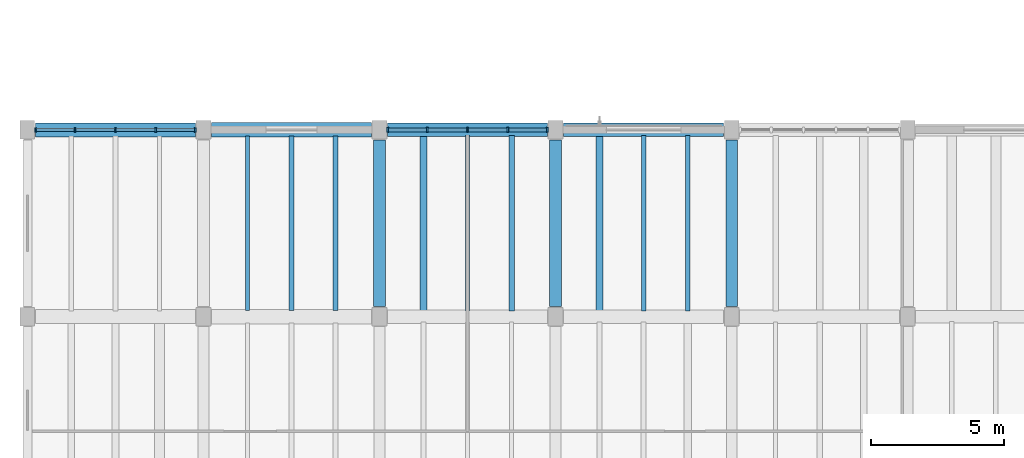
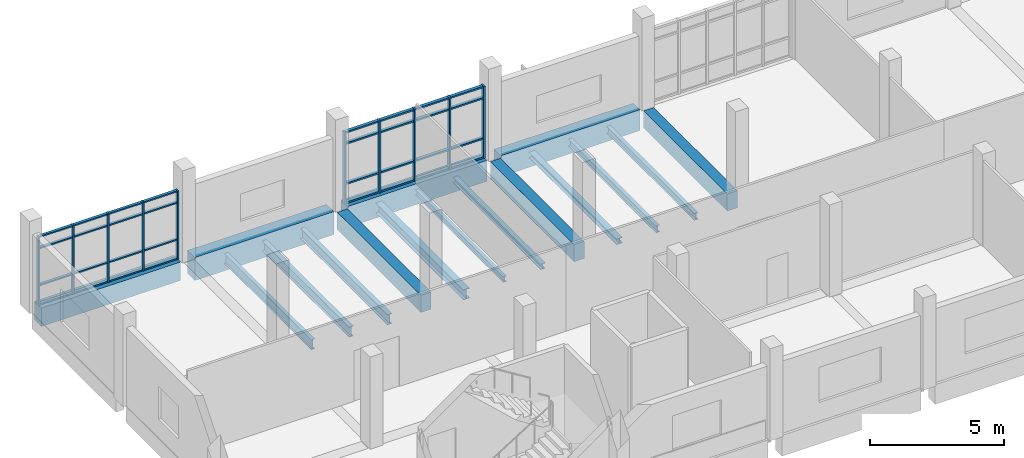
# One storey, part 4 of 68: 42 members, 16 beams, 2 elements without a shape of their own.
"""IFC4 building model written with IfcOpenShell, lengths in metres."""

from ifc_helpers import new_model, si_unit, direction, frame, origin, origin_2d, place, context, subcontext, project, spatial, rectangle, i_section, extrude, material, material_profile, profile_set, type_object, element, aggregate, save


model = new_model("IFC4")

# Units and contexts
model_context = context("Model", 3, precision=1e-05, world=origin(), true_north=direction((0.0, 1.0)))
body_context = subcontext(model_context, "Body", "Model", "MODEL_VIEW")
ifc_project = project(units=[si_unit("LENGTHUNIT", "METRE"), si_unit("AREAUNIT", "SQUARE_METRE"), si_unit("VOLUMEUNIT", "CUBIC_METRE"), si_unit("PLANEANGLEUNIT", "RADIAN"), si_unit("MASSUNIT", "GRAM", prefix="KILO")], contexts=[model_context])

# Site, building, storey
site_placement = place(None, origin())
site = spatial("IfcSite", under=ifc_project, at=site_placement, CompositionType="ELEMENT")
building_placement = place(site_placement, origin())
building = spatial("IfcBuilding", under=site, at=building_placement, Name="Ciguamira Faculty of Natural Sciences", CompositionType="ELEMENT")
storey_placement = place(building_placement, frame((0.0, 0.0, 4.199951171875)))
storey = spatial("IfcBuildingStorey", under=building, at=storey_placement, Name="L01", CompositionType="ELEMENT", Elevation=4.199951171875)

# Curtain wall, members
ifc_material_1 = material(Name="Anodized aluminium curtain wall", Category="aluminium")
curtain_wall_type_1 = type_object("IfcCurtainWallType", Name="CurtainWall_CW-04", PredefinedType="USERDEFINED", material=ifc_material_1)
curtain_wall_1_placement = place(storey_placement, origin())
curtain_wall_1 = element("IfcCurtainWall", 1, at=curtain_wall_1_placement, inside=storey, type_object=curtain_wall_type_1, Name="L01 unitised curtain wall 0028", ObjectType="UNITISED CURTAIN WALL", PredefinedType="USERDEFINED")
ifc_material_2 = material(Name="Anodized aluminium mullion", Category="aluminium")
ifc_material_profile_1 = material_profile(ifc_material_2, rectangle(XDim=0.06005859375, YDim=0.159912109375, at=origin_2d()), Name="ALU-MUL-60X160")
ifc_profile_set_1 = profile_set([ifc_material_profile_1], Name="Anodized aluminium mullion")
member_type_1 = type_object("IfcMemberType", Name="CWMullion_CWM-01", PredefinedType="MULLION", material=ifc_profile_set_1)
member_1_placement = place(storey_placement, frame((4.804931640625, 24.0, 0.0), z_axis=(0.0, 0.0, 1.0), x_axis=(1.0, 0.0, 0.0)))
member_1 = element("IfcMember", 2, at=member_1_placement, type_object=member_type_1, Name="CW-04 mullion 1", PredefinedType="MULLION", context=body_context, shape_type="SweptSolid", body=[
    extrude(rectangle(XDim=0.06005859375, YDim=0.159912109375, at=origin_2d()), origin(), (0.0, 0.0, 1.0), 3.135009765625),
])
member_2_placement = place(storey_placement, frame((6.28759765625, 24.0, 0.0), z_axis=(0.0, 0.0, 1.0), x_axis=(1.0, 0.0, 0.0)))
member_2 = element("IfcMember", 3, at=member_2_placement, type_object=member_type_1, Name="CW-04 mullion 2", PredefinedType="MULLION", context=body_context, shape_type="SweptSolid", body=[
    extrude(rectangle(XDim=0.06005859375, YDim=0.159912109375, at=origin_2d()), origin(), (0.0, 0.0, 1.0), 3.135009765625),
])
member_3_placement = place(storey_placement, frame((7.800048828125, 24.0, 0.0), z_axis=(0.0, 0.0, 1.0), x_axis=(1.0, 0.0, 0.0)))
member_3 = element("IfcMember", 4, at=member_3_placement, type_object=member_type_1, Name="CW-04 mullion 3", PredefinedType="MULLION", context=body_context, shape_type="SweptSolid", body=[
    extrude(rectangle(XDim=0.06005859375, YDim=0.159912109375, at=origin_2d()), origin(), (0.0, 0.0, 1.0), 3.135009765625),
])
member_4_placement = place(storey_placement, frame((9.3125, 24.0, 0.0), z_axis=(0.0, 0.0, 1.0), x_axis=(1.0, 0.0, 0.0)))
member_4 = element("IfcMember", 5, at=member_4_placement, type_object=member_type_1, Name="CW-04 mullion 4", PredefinedType="MULLION", context=body_context, shape_type="SweptSolid", body=[
    extrude(rectangle(XDim=0.06005859375, YDim=0.159912109375, at=origin_2d()), origin(), (0.0, 0.0, 1.0), 3.135009765625),
])
member_5_placement = place(storey_placement, frame((10.794921875, 24.0, 0.0), z_axis=(0.0, 0.0, 1.0), x_axis=(1.0, 0.0, 0.0)))
member_5 = element("IfcMember", 6, at=member_5_placement, type_object=member_type_1, Name="CW-04 mullion 5", PredefinedType="MULLION", context=body_context, shape_type="SweptSolid", body=[
    extrude(rectangle(XDim=0.06005859375, YDim=0.159912109375, at=origin_2d()), origin(), (0.0, 0.0, 1.0), 3.135009765625),
])

curtain_wall_type_2 = type_object("IfcCurtainWallType", Name="CurtainWall_CW-05", PredefinedType="USERDEFINED", material=ifc_material_1)
curtain_wall_2_placement = place(storey_placement, origin())
curtain_wall_2 = element("IfcCurtainWall", 7, at=curtain_wall_2_placement, inside=storey, type_object=curtain_wall_type_2, Name="L01 unitised curtain wall 0029", ObjectType="UNITISED CURTAIN WALL", PredefinedType="USERDEFINED")
ifc_material_profile_2 = material_profile(ifc_material_2, rectangle(XDim=0.070068359375, YDim=0.179931640625, at=origin_2d()), Name="ALU-MUL-70X180")
ifc_profile_set_2 = profile_set([ifc_material_profile_2], Name="Anodized aluminium mullion")
member_type_2 = type_object("IfcMemberType", Name="CWMullion_CWM-02", PredefinedType="MULLION", material=ifc_profile_set_2)
member_6_placement = place(storey_placement, frame((18.010009765625, 24.0, 0.0), z_axis=(0.0, 0.0, 1.0), x_axis=(1.0, 0.0, 0.0)))
member_6 = element("IfcMember", 8, at=member_6_placement, type_object=member_type_2, Name="CW-05 mullion 1", PredefinedType="MULLION", context=body_context, shape_type="SweptSolid", body=[
    extrude(rectangle(XDim=0.070068359375, YDim=0.179931640625, at=origin_2d()), origin(), (0.0, 0.0, 1.0), 3.28515625),
])
member_7_placement = place(storey_placement, frame((19.487548828125, 24.0, 0.0), z_axis=(0.0, 0.0, 1.0), x_axis=(1.0, 0.0, 0.0)))
member_7 = element("IfcMember", 9, at=member_7_placement, type_object=member_type_2, Name="CW-05 mullion 2", PredefinedType="MULLION", context=body_context, shape_type="SweptSolid", body=[
    extrude(rectangle(XDim=0.070068359375, YDim=0.179931640625, at=origin_2d()), origin(), (0.0, 0.0, 1.0), 3.28515625),
])
member_8_placement = place(storey_placement, frame((21.0, 24.0, 0.0), z_axis=(0.0, 0.0, 1.0), x_axis=(1.0, 0.0, 0.0)))
member_8 = element("IfcMember", 10, at=member_8_placement, type_object=member_type_2, Name="CW-05 mullion 3", PredefinedType="MULLION", context=body_context, shape_type="SweptSolid", body=[
    extrude(rectangle(XDim=0.070068359375, YDim=0.179931640625, at=origin_2d()), origin(), (0.0, 0.0, 1.0), 3.28515625),
])
member_9_placement = place(storey_placement, frame((22.512451171875, 24.0, 0.0), z_axis=(0.0, 0.0, 1.0), x_axis=(1.0, 0.0, 0.0)))
member_9 = element("IfcMember", 11, at=member_9_placement, type_object=member_type_2, Name="CW-05 mullion 4", PredefinedType="MULLION", context=body_context, shape_type="SweptSolid", body=[
    extrude(rectangle(XDim=0.070068359375, YDim=0.179931640625, at=origin_2d()), origin(), (0.0, 0.0, 1.0), 3.28515625),
])
member_10_placement = place(storey_placement, frame((23.989990234375, 24.0, 0.0), z_axis=(0.0, 0.0, 1.0), x_axis=(1.0, 0.0, 0.0)))
member_10 = element("IfcMember", 12, at=member_10_placement, type_object=member_type_2, Name="CW-05 mullion 5", PredefinedType="MULLION", context=body_context, shape_type="SweptSolid", body=[
    extrude(rectangle(XDim=0.070068359375, YDim=0.179931640625, at=origin_2d()), origin(), (0.0, 0.0, 1.0), 3.28515625),
])

# Member
ifc_material_3 = material(Name="Anodized aluminium transom", Category="aluminium")
ifc_material_profile_3 = material_profile(ifc_material_3, rectangle(XDim=0.06005859375, YDim=0.1201171875, at=origin_2d()), Name="ALU-TRN-60X120")
ifc_profile_set_3 = profile_set([ifc_material_profile_3], Name="Anodized aluminium transom")
member_type_3 = type_object("IfcMemberType", Name="CWTransom_CWT-01", PredefinedType="USERDEFINED", material=ifc_profile_set_3)
member_11_placement = place(storey_placement, frame((4.8349609375, 24.0, 0.030029296875), z_axis=(1.0, 0.0, 0.0), x_axis=(0.0, 0.0, 1.0)))
member_11 = element("IfcMember", 13, at=member_11_placement, type_object=member_type_3, Name="CW-04 transom 1.1", ObjectType="TRANSOM", PredefinedType="USERDEFINED", context=body_context, shape_type="SweptSolid", body=[
    extrude(rectangle(XDim=0.06005859375, YDim=0.1201171875, at=origin_2d()), origin(), (0.0, 0.0, 1.0), 1.422607421875),
])

member_12_placement = place(storey_placement, frame((4.8349609375, 24.0, 0.900146484375), z_axis=(1.0, 0.0, 0.0), x_axis=(0.0, 0.0, 1.0)))
member_12 = element("IfcMember", 14, at=member_12_placement, type_object=member_type_3, Name="CW-04 transom 1.2", ObjectType="TRANSOM", PredefinedType="USERDEFINED", context=body_context, shape_type="SweptSolid", body=[
    extrude(rectangle(XDim=0.06005859375, YDim=0.1201171875, at=origin_2d()), origin(), (0.0, 0.0, 1.0), 1.422607421875),
])

member_13_placement = place(storey_placement, frame((4.8349609375, 24.0, 2.5849609375), z_axis=(1.0, 0.0, 0.0), x_axis=(0.0, 0.0, 1.0)))
member_13 = element("IfcMember", 15, at=member_13_placement, type_object=member_type_3, Name="CW-04 transom 1.3", ObjectType="TRANSOM", PredefinedType="USERDEFINED", context=body_context, shape_type="SweptSolid", body=[
    extrude(rectangle(XDim=0.06005859375, YDim=0.1201171875, at=origin_2d()), origin(), (0.0, 0.0, 1.0), 1.422607421875),
])

member_14_placement = place(storey_placement, frame((4.8349609375, 24.0, 3.10498046875), z_axis=(1.0, 0.0, 0.0), x_axis=(0.0, 0.0, 1.0)))
member_14 = element("IfcMember", 16, at=member_14_placement, type_object=member_type_3, Name="CW-04 transom 1.4", ObjectType="TRANSOM", PredefinedType="USERDEFINED", context=body_context, shape_type="SweptSolid", body=[
    extrude(rectangle(XDim=0.06005859375, YDim=0.1201171875, at=origin_2d()), origin(), (0.0, 0.0, 1.0), 1.422607421875),
])

member_15_placement = place(storey_placement, frame((6.3173828125, 24.0, 0.030029296875), z_axis=(1.0, 0.0, 0.0), x_axis=(0.0, 0.0, 1.0)))
member_15 = element("IfcMember", 17, at=member_15_placement, type_object=member_type_3, Name="CW-04 transom 2.1", ObjectType="TRANSOM", PredefinedType="USERDEFINED", context=body_context, shape_type="SweptSolid", body=[
    extrude(rectangle(XDim=0.06005859375, YDim=0.1201171875, at=origin_2d()), origin(), (0.0, 0.0, 1.0), 1.45263671875),
])

member_16_placement = place(storey_placement, frame((6.3173828125, 24.0, 0.900146484375), z_axis=(1.0, 0.0, 0.0), x_axis=(0.0, 0.0, 1.0)))
member_16 = element("IfcMember", 18, at=member_16_placement, type_object=member_type_3, Name="CW-04 transom 2.2", ObjectType="TRANSOM", PredefinedType="USERDEFINED", context=body_context, shape_type="SweptSolid", body=[
    extrude(rectangle(XDim=0.06005859375, YDim=0.1201171875, at=origin_2d()), origin(), (0.0, 0.0, 1.0), 1.45263671875),
])

member_17_placement = place(storey_placement, frame((6.3173828125, 24.0, 2.5849609375), z_axis=(1.0, 0.0, 0.0), x_axis=(0.0, 0.0, 1.0)))
member_17 = element("IfcMember", 19, at=member_17_placement, type_object=member_type_3, Name="CW-04 transom 2.3", ObjectType="TRANSOM", PredefinedType="USERDEFINED", context=body_context, shape_type="SweptSolid", body=[
    extrude(rectangle(XDim=0.06005859375, YDim=0.1201171875, at=origin_2d()), origin(), (0.0, 0.0, 1.0), 1.45263671875),
])

member_18_placement = place(storey_placement, frame((6.3173828125, 24.0, 3.10498046875), z_axis=(1.0, 0.0, 0.0), x_axis=(0.0, 0.0, 1.0)))
member_18 = element("IfcMember", 20, at=member_18_placement, type_object=member_type_3, Name="CW-04 transom 2.4", ObjectType="TRANSOM", PredefinedType="USERDEFINED", context=body_context, shape_type="SweptSolid", body=[
    extrude(rectangle(XDim=0.06005859375, YDim=0.1201171875, at=origin_2d()), origin(), (0.0, 0.0, 1.0), 1.45263671875),
])

member_19_placement = place(storey_placement, frame((7.830078125, 24.0, 0.030029296875), z_axis=(1.0, 0.0, 0.0), x_axis=(0.0, 0.0, 1.0)))
member_19 = element("IfcMember", 21, at=member_19_placement, type_object=member_type_3, Name="CW-04 transom 3.1", ObjectType="TRANSOM", PredefinedType="USERDEFINED", context=body_context, shape_type="SweptSolid", body=[
    extrude(rectangle(XDim=0.06005859375, YDim=0.1201171875, at=origin_2d()), origin(), (0.0, 0.0, 1.0), 1.452392578125),
])

member_20_placement = place(storey_placement, frame((7.830078125, 24.0, 0.900146484375), z_axis=(1.0, 0.0, 0.0), x_axis=(0.0, 0.0, 1.0)))
member_20 = element("IfcMember", 22, at=member_20_placement, type_object=member_type_3, Name="CW-04 transom 3.2", ObjectType="TRANSOM", PredefinedType="USERDEFINED", context=body_context, shape_type="SweptSolid", body=[
    extrude(rectangle(XDim=0.06005859375, YDim=0.1201171875, at=origin_2d()), origin(), (0.0, 0.0, 1.0), 1.452392578125),
])

member_21_placement = place(storey_placement, frame((7.830078125, 24.0, 2.5849609375), z_axis=(1.0, 0.0, 0.0), x_axis=(0.0, 0.0, 1.0)))
member_21 = element("IfcMember", 23, at=member_21_placement, type_object=member_type_3, Name="CW-04 transom 3.3", ObjectType="TRANSOM", PredefinedType="USERDEFINED", context=body_context, shape_type="SweptSolid", body=[
    extrude(rectangle(XDim=0.06005859375, YDim=0.1201171875, at=origin_2d()), origin(), (0.0, 0.0, 1.0), 1.452392578125),
])

member_22_placement = place(storey_placement, frame((7.830078125, 24.0, 3.10498046875), z_axis=(1.0, 0.0, 0.0), x_axis=(0.0, 0.0, 1.0)))
member_22 = element("IfcMember", 24, at=member_22_placement, type_object=member_type_3, Name="CW-04 transom 3.4", ObjectType="TRANSOM", PredefinedType="USERDEFINED", context=body_context, shape_type="SweptSolid", body=[
    extrude(rectangle(XDim=0.06005859375, YDim=0.1201171875, at=origin_2d()), origin(), (0.0, 0.0, 1.0), 1.452392578125),
])

member_23_placement = place(storey_placement, frame((9.342529296875, 24.0, 0.030029296875), z_axis=(1.0, 0.0, 0.0), x_axis=(0.0, 0.0, 1.0)))
member_23 = element("IfcMember", 25, at=member_23_placement, type_object=member_type_3, Name="CW-04 transom 4.1", ObjectType="TRANSOM", PredefinedType="USERDEFINED", context=body_context, shape_type="SweptSolid", body=[
    extrude(rectangle(XDim=0.06005859375, YDim=0.1201171875, at=origin_2d()), origin(), (0.0, 0.0, 1.0), 1.42236328125),
])

member_24_placement = place(storey_placement, frame((9.342529296875, 24.0, 0.900146484375), z_axis=(1.0, 0.0, 0.0), x_axis=(0.0, 0.0, 1.0)))
member_24 = element("IfcMember", 26, at=member_24_placement, type_object=member_type_3, Name="CW-04 transom 4.2", ObjectType="TRANSOM", PredefinedType="USERDEFINED", context=body_context, shape_type="SweptSolid", body=[
    extrude(rectangle(XDim=0.06005859375, YDim=0.1201171875, at=origin_2d()), origin(), (0.0, 0.0, 1.0), 1.42236328125),
])

member_25_placement = place(storey_placement, frame((9.342529296875, 24.0, 2.5849609375), z_axis=(1.0, 0.0, 0.0), x_axis=(0.0, 0.0, 1.0)))
member_25 = element("IfcMember", 27, at=member_25_placement, type_object=member_type_3, Name="CW-04 transom 4.3", ObjectType="TRANSOM", PredefinedType="USERDEFINED", context=body_context, shape_type="SweptSolid", body=[
    extrude(rectangle(XDim=0.06005859375, YDim=0.1201171875, at=origin_2d()), origin(), (0.0, 0.0, 1.0), 1.42236328125),
])

member_26_placement = place(storey_placement, frame((9.342529296875, 24.0, 3.10498046875), z_axis=(1.0, 0.0, 0.0), x_axis=(0.0, 0.0, 1.0)))
member_26 = element("IfcMember", 28, at=member_26_placement, type_object=member_type_3, Name="CW-04 transom 4.4", ObjectType="TRANSOM", PredefinedType="USERDEFINED", context=body_context, shape_type="SweptSolid", body=[
    extrude(rectangle(XDim=0.06005859375, YDim=0.1201171875, at=origin_2d()), origin(), (0.0, 0.0, 1.0), 1.42236328125),
])

aggregate(curtain_wall_1, [member_1, member_2, member_3, member_4, member_5, member_11, member_12, member_13, member_14, member_15, member_16, member_17, member_18, member_19, member_20, member_21, member_22, member_23, member_24, member_25, member_26])

ifc_material_profile_4 = material_profile(ifc_material_3, rectangle(XDim=0.070068359375, YDim=0.139892578125, at=origin_2d()), Name="ALU-TRN-70X140")
ifc_profile_set_4 = profile_set([ifc_material_profile_4], Name="Anodized aluminium transom")
member_type_4 = type_object("IfcMemberType", Name="CWTransom_CWT-02", PredefinedType="USERDEFINED", material=ifc_profile_set_4)
member_27_placement = place(storey_placement, frame((18.044921875, 24.0, 0.03515625), z_axis=(1.0, 0.0, 0.0), x_axis=(0.0, 0.0, 1.0)))
member_27 = element("IfcMember", 29, at=member_27_placement, type_object=member_type_4, Name="CW-05 transom 1.1", ObjectType="TRANSOM", PredefinedType="USERDEFINED", context=body_context, shape_type="SweptSolid", body=[
    extrude(rectangle(XDim=0.070068359375, YDim=0.139892578125, at=origin_2d()), origin(), (0.0, 0.0, 1.0), 1.407470703125),
])

member_28_placement = place(storey_placement, frame((18.044921875, 24.0, 0.900146484375), z_axis=(1.0, 0.0, 0.0), x_axis=(0.0, 0.0, 1.0)))
member_28 = element("IfcMember", 30, at=member_28_placement, type_object=member_type_4, Name="CW-05 transom 1.2", ObjectType="TRANSOM", PredefinedType="USERDEFINED", context=body_context, shape_type="SweptSolid", body=[
    extrude(rectangle(XDim=0.070068359375, YDim=0.139892578125, at=origin_2d()), origin(), (0.0, 0.0, 1.0), 1.407470703125),
])

member_29_placement = place(storey_placement, frame((18.044921875, 24.0, 2.735107421875), z_axis=(1.0, 0.0, 0.0), x_axis=(0.0, 0.0, 1.0)))
member_29 = element("IfcMember", 31, at=member_29_placement, type_object=member_type_4, Name="CW-05 transom 1.3", ObjectType="TRANSOM", PredefinedType="USERDEFINED", context=body_context, shape_type="SweptSolid", body=[
    extrude(rectangle(XDim=0.070068359375, YDim=0.139892578125, at=origin_2d()), origin(), (0.0, 0.0, 1.0), 1.407470703125),
])

member_30_placement = place(storey_placement, frame((18.044921875, 24.0, 3.25), z_axis=(1.0, 0.0, 0.0), x_axis=(0.0, 0.0, 1.0)))
member_30 = element("IfcMember", 32, at=member_30_placement, type_object=member_type_4, Name="CW-05 transom 1.4", ObjectType="TRANSOM", PredefinedType="USERDEFINED", context=body_context, shape_type="SweptSolid", body=[
    extrude(rectangle(XDim=0.070068359375, YDim=0.139892578125, at=origin_2d()), origin(), (0.0, 0.0, 1.0), 1.407470703125),
])

member_31_placement = place(storey_placement, frame((19.5224609375, 24.0, 0.03515625), z_axis=(1.0, 0.0, 0.0), x_axis=(0.0, 0.0, 1.0)))
member_31 = element("IfcMember", 33, at=member_31_placement, type_object=member_type_4, Name="CW-05 transom 2.1", ObjectType="TRANSOM", PredefinedType="USERDEFINED", context=body_context, shape_type="SweptSolid", body=[
    extrude(rectangle(XDim=0.070068359375, YDim=0.139892578125, at=origin_2d()), origin(), (0.0, 0.0, 1.0), 1.442626953125),
])

member_32_placement = place(storey_placement, frame((19.5224609375, 24.0, 0.900146484375), z_axis=(1.0, 0.0, 0.0), x_axis=(0.0, 0.0, 1.0)))
member_32 = element("IfcMember", 34, at=member_32_placement, type_object=member_type_4, Name="CW-05 transom 2.2", ObjectType="TRANSOM", PredefinedType="USERDEFINED", context=body_context, shape_type="SweptSolid", body=[
    extrude(rectangle(XDim=0.070068359375, YDim=0.139892578125, at=origin_2d()), origin(), (0.0, 0.0, 1.0), 1.442626953125),
])

member_33_placement = place(storey_placement, frame((19.5224609375, 24.0, 2.735107421875), z_axis=(1.0, 0.0, 0.0), x_axis=(0.0, 0.0, 1.0)))
member_33 = element("IfcMember", 35, at=member_33_placement, type_object=member_type_4, Name="CW-05 transom 2.3", ObjectType="TRANSOM", PredefinedType="USERDEFINED", context=body_context, shape_type="SweptSolid", body=[
    extrude(rectangle(XDim=0.070068359375, YDim=0.139892578125, at=origin_2d()), origin(), (0.0, 0.0, 1.0), 1.442626953125),
])

member_34_placement = place(storey_placement, frame((19.5224609375, 24.0, 3.25), z_axis=(1.0, 0.0, 0.0), x_axis=(0.0, 0.0, 1.0)))
member_34 = element("IfcMember", 36, at=member_34_placement, type_object=member_type_4, Name="CW-05 transom 2.4", ObjectType="TRANSOM", PredefinedType="USERDEFINED", context=body_context, shape_type="SweptSolid", body=[
    extrude(rectangle(XDim=0.070068359375, YDim=0.139892578125, at=origin_2d()), origin(), (0.0, 0.0, 1.0), 1.442626953125),
])

member_35_placement = place(storey_placement, frame((21.034912109375, 24.0, 0.03515625), z_axis=(1.0, 0.0, 0.0), x_axis=(0.0, 0.0, 1.0)))
member_35 = element("IfcMember", 37, at=member_35_placement, type_object=member_type_4, Name="CW-05 transom 3.1", ObjectType="TRANSOM", PredefinedType="USERDEFINED", context=body_context, shape_type="SweptSolid", body=[
    extrude(rectangle(XDim=0.070068359375, YDim=0.139892578125, at=origin_2d()), origin(), (0.0, 0.0, 1.0), 1.442626953125),
])

member_36_placement = place(storey_placement, frame((21.034912109375, 24.0, 0.900146484375), z_axis=(1.0, 0.0, 0.0), x_axis=(0.0, 0.0, 1.0)))
member_36 = element("IfcMember", 38, at=member_36_placement, type_object=member_type_4, Name="CW-05 transom 3.2", ObjectType="TRANSOM", PredefinedType="USERDEFINED", context=body_context, shape_type="SweptSolid", body=[
    extrude(rectangle(XDim=0.070068359375, YDim=0.139892578125, at=origin_2d()), origin(), (0.0, 0.0, 1.0), 1.442626953125),
])

member_37_placement = place(storey_placement, frame((21.034912109375, 24.0, 2.735107421875), z_axis=(1.0, 0.0, 0.0), x_axis=(0.0, 0.0, 1.0)))
member_37 = element("IfcMember", 39, at=member_37_placement, type_object=member_type_4, Name="CW-05 transom 3.3", ObjectType="TRANSOM", PredefinedType="USERDEFINED", context=body_context, shape_type="SweptSolid", body=[
    extrude(rectangle(XDim=0.070068359375, YDim=0.139892578125, at=origin_2d()), origin(), (0.0, 0.0, 1.0), 1.442626953125),
])

member_38_placement = place(storey_placement, frame((21.034912109375, 24.0, 3.25), z_axis=(1.0, 0.0, 0.0), x_axis=(0.0, 0.0, 1.0)))
member_38 = element("IfcMember", 40, at=member_38_placement, type_object=member_type_4, Name="CW-05 transom 3.4", ObjectType="TRANSOM", PredefinedType="USERDEFINED", context=body_context, shape_type="SweptSolid", body=[
    extrude(rectangle(XDim=0.070068359375, YDim=0.139892578125, at=origin_2d()), origin(), (0.0, 0.0, 1.0), 1.442626953125),
])

member_39_placement = place(storey_placement, frame((22.547607421875, 24.0, 0.03515625), z_axis=(1.0, 0.0, 0.0), x_axis=(0.0, 0.0, 1.0)))
member_39 = element("IfcMember", 41, at=member_39_placement, type_object=member_type_4, Name="CW-05 transom 4.1", ObjectType="TRANSOM", PredefinedType="USERDEFINED", context=body_context, shape_type="SweptSolid", body=[
    extrude(rectangle(XDim=0.070068359375, YDim=0.139892578125, at=origin_2d()), origin(), (0.0, 0.0, 1.0), 1.407470703125),
])

member_40_placement = place(storey_placement, frame((22.547607421875, 24.0, 0.900146484375), z_axis=(1.0, 0.0, 0.0), x_axis=(0.0, 0.0, 1.0)))
member_40 = element("IfcMember", 42, at=member_40_placement, type_object=member_type_4, Name="CW-05 transom 4.2", ObjectType="TRANSOM", PredefinedType="USERDEFINED", context=body_context, shape_type="SweptSolid", body=[
    extrude(rectangle(XDim=0.070068359375, YDim=0.139892578125, at=origin_2d()), origin(), (0.0, 0.0, 1.0), 1.407470703125),
])

member_41_placement = place(storey_placement, frame((22.547607421875, 24.0, 2.735107421875), z_axis=(1.0, 0.0, 0.0), x_axis=(0.0, 0.0, 1.0)))
member_41 = element("IfcMember", 43, at=member_41_placement, type_object=member_type_4, Name="CW-05 transom 4.3", ObjectType="TRANSOM", PredefinedType="USERDEFINED", context=body_context, shape_type="SweptSolid", body=[
    extrude(rectangle(XDim=0.070068359375, YDim=0.139892578125, at=origin_2d()), origin(), (0.0, 0.0, 1.0), 1.407470703125),
])

member_42_placement = place(storey_placement, frame((22.547607421875, 24.0, 3.25), z_axis=(1.0, 0.0, 0.0), x_axis=(0.0, 0.0, 1.0)))
member_42 = element("IfcMember", 44, at=member_42_placement, type_object=member_type_4, Name="CW-05 transom 4.4", ObjectType="TRANSOM", PredefinedType="USERDEFINED", context=body_context, shape_type="SweptSolid", body=[
    extrude(rectangle(XDim=0.070068359375, YDim=0.139892578125, at=origin_2d()), origin(), (0.0, 0.0, 1.0), 1.407470703125),
])

aggregate(curtain_wall_2, [member_6, member_7, member_8, member_9, member_10, member_27, member_28, member_29, member_30, member_31, member_32, member_33, member_34, member_35, member_36, member_37, member_38, member_39, member_40, member_41, member_42])

# Beams
ifc_material_4 = material(Name="Concrete C40/50", Category="concrete")
ifc_material_profile_5 = material_profile(ifc_material_4, rectangle(XDim=0.550048828125, YDim=1.050048828125, at=origin_2d()), Name="RC-BM-550X1050")
ifc_profile_set_5 = profile_set([ifc_material_profile_5], Name="Concrete C40/50")
beam_type_1 = type_object("IfcBeamType", Name="RCBeam_BG-01_RC-BM-550X1050", PredefinedType="BEAM", material=ifc_profile_set_5)
beam_1_placement = place(storey_placement, frame((11.39990234375, 24.0, -0.52490234375), z_axis=(1.0, 0.0, 0.0), x_axis=(0.0, 1.0, 0.0)))
element("IfcBeam", 45, at=beam_1_placement, inside=storey, type_object=beam_type_1, Name="L01 RC girder EW-0416", PredefinedType="BEAM", context=body_context, shape_type="SweptSolid", body=[
    extrude(rectangle(XDim=0.550048828125, YDim=1.050048828125, at=origin_2d()), origin(), (0.0, 0.0, 1.0), 6.0),
])
ifc_material_profile_6 = material_profile(ifc_material_4, rectangle(XDim=0.5, YDim=0.949951171875, at=origin_2d()), Name="RC-BM-500X950")
ifc_profile_set_6 = profile_set([ifc_material_profile_6], Name="Concrete C40/50")
beam_type_2 = type_object("IfcBeamType", Name="RCBeam_BG-02_RC-BM-500X950", PredefinedType="BEAM", material=ifc_profile_set_6)
for number, where, z_axis, x_axis, name in (
    (46, (18.0, 24.0, -0.474853515625), (1.0, 0.0, 0.0), (0.0, 1.0, 0.0), "L01 RC girder EW-0417"),
    (47, (24.60009765625, 24.0, -0.474853515625), (1.0, 0.0, 0.0), (0.0, 1.0, 0.0), "L01 RC girder EW-0418"),
):
    element("IfcBeam", number, at=place(storey_placement, frame(where, z_axis=z_axis, x_axis=x_axis)), inside=storey, type_object=beam_type_2, Name=name, PredefinedType="BEAM", context=body_context, shape_type="SweptSolid", body=[
        extrude(rectangle(XDim=0.5, YDim=0.949951171875, at=origin_2d()), origin(), (0.0, 0.0, 1.0), 6.0),
    ])
ifc_material_profile_7 = material_profile(ifc_material_4, rectangle(XDim=0.43994140625, YDim=0.780029296875, at=origin_2d()), Name="RC-BM-440X780")
ifc_profile_set_7 = profile_set([ifc_material_profile_7], Name="Concrete C40/50")
beam_type_3 = type_object("IfcBeamType", Name="RCBeam_BG-06_RC-BM-440X780", PredefinedType="BEAM", material=ifc_profile_set_7)
for number, where, z_axis, x_axis, name in (
    (48, (17.699951171875, 17.375, -0.389892578125), (0.0, 1.0, 0.0), (-1.0, 0.0, 0.0), "L01 girder NS-0555"),
    (49, (24.300048828125, 17.375, -0.389892578125), (0.0, 1.0, 0.0), (-1.0, 0.0, 0.0), "L01 girder NS-0558"),
    (50, (30.89990234375, 17.375, -0.389892578125), (0.0, 1.0, 0.0), (-1.0, 0.0, 0.0), "L01 girder NS-0561"),
):
    element("IfcBeam", number, at=place(storey_placement, frame(where, z_axis=z_axis, x_axis=x_axis)), inside=storey, type_object=beam_type_3, Name=name, PredefinedType="BEAM", context=body_context, shape_type="SweptSolid", body=[
        extrude(rectangle(XDim=0.43994140625, YDim=0.780029296875, at=origin_2d()), origin(), (0.0, 0.0, 1.0), 6.25),
    ])
ifc_material_profile_8 = material_profile(ifc_material_4, rectangle(XDim=0.52001953125, YDim=0.840087890625, at=origin_2d()), Name="RC-TB-520X840")
ifc_profile_set_8 = profile_set([ifc_material_profile_8], Name="Concrete C40/50")
beam_type_4 = type_object("IfcBeamType", Name="RCBeam_TB-02_RC-TB-520X840", PredefinedType="T_BEAM", material=ifc_profile_set_8)
beam_2_placement = place(storey_placement, frame((4.800048828125, 24.0, -0.419921875), z_axis=(1.0, 0.0, 0.0), x_axis=(0.0, 1.0, 0.0)))
element("IfcBeam", 51, at=beam_2_placement, inside=storey, type_object=beam_type_4, Name="L01 RC girder EW-0415", PredefinedType="T_BEAM", context=body_context, shape_type="SweptSolid", body=[
    extrude(rectangle(XDim=0.52001953125, YDim=0.840087890625, at=origin_2d()), origin(), (0.0, 0.0, 1.0), 6.0),
])
ifc_material_5 = material(Name="Steel ASTM A992 Grade 50", Category="steel")
ifc_material_profile_9 = material_profile(ifc_material_5, i_section(OverallWidth=0.14599609375, OverallDepth=0.259033203125, WebThickness=0.006103515625, FlangeThickness=0.009033203125, at=origin_2d()), Name="W10X22")
ifc_profile_set_9 = profile_set([ifc_material_profile_9], Name="Steel ASTM A992 Grade 50")
beam_type_5 = type_object("IfcBeamType", Name="SteelJoist_SJ-01_W10X22", PredefinedType="JOIST", material=ifc_profile_set_9)
beam_3_placement = place(storey_placement, frame((21.0, 17.2099609375, -0.389404296875), z_axis=(0.0, 1.0, 0.0), x_axis=(-1.0, 0.0, 0.0)))
element("IfcBeam", 52, at=beam_3_placement, inside=storey, type_object=beam_type_5, Name="L01 composite steel joist 00344", PredefinedType="JOIST", context=body_context, shape_type="SweptSolid", body=[
    extrude(i_section(OverallWidth=0.14599609375, OverallDepth=0.259033203125, WebThickness=0.006103515625, FlangeThickness=0.009033203125, at=origin_2d()), origin(), (0.0, 0.0, 1.0), 6.580078125),
])
ifc_material_profile_10 = material_profile(ifc_material_5, i_section(OverallWidth=0.2021484375, OverallDepth=0.2470703125, WebThickness=0.00732421875, FlangeThickness=0.010986328125, at=origin_2d()), Name="W10X33")
ifc_profile_set_10 = profile_set([ifc_material_profile_10], Name="Steel ASTM A992 Grade 50")
beam_type_6 = type_object("IfcBeamType", Name="SteelJoist_SJ-02_W10X33", PredefinedType="JOIST", material=ifc_profile_set_10)
beam_4_placement = place(storey_placement, frame((22.64990234375, 17.2099609375, -0.383544921875), z_axis=(0.0, 1.0, 0.0), x_axis=(-1.0, 0.0, 0.0)))
element("IfcBeam", 53, at=beam_4_placement, inside=storey, type_object=beam_type_6, Name="L01 composite steel joist 00345", PredefinedType="JOIST", context=body_context, shape_type="SweptSolid", body=[
    extrude(i_section(OverallWidth=0.2021484375, OverallDepth=0.2470703125, WebThickness=0.00732421875, FlangeThickness=0.010986328125, at=origin_2d()), origin(), (0.0, 0.0, 1.0), 6.580078125),
])
ifc_material_profile_11 = material_profile(ifc_material_5, i_section(OverallWidth=0.25390625, OverallDepth=0.25390625, WebThickness=0.008544921875, FlangeThickness=0.01416015625, at=origin_2d()), Name="W10X49")
ifc_profile_set_11 = profile_set([ifc_material_profile_11], Name="Steel ASTM A992 Grade 50")
beam_type_7 = type_object("IfcBeamType", Name="SteelJoist_SJ-03_W10X49", PredefinedType="JOIST", material=ifc_profile_set_11)
beam_5_placement = place(storey_placement, frame((25.949951171875, 17.2099609375, -0.386962890625), z_axis=(0.0, 1.0, 0.0), x_axis=(-1.0, 0.0, 0.0)))
element("IfcBeam", 54, at=beam_5_placement, inside=storey, type_object=beam_type_7, Name="L01 composite steel joist 00352", PredefinedType="JOIST", context=body_context, shape_type="SweptSolid", body=[
    extrude(i_section(OverallWidth=0.25390625, OverallDepth=0.25390625, WebThickness=0.008544921875, FlangeThickness=0.01416015625, at=origin_2d()), origin(), (0.0, 0.0, 1.0), 6.580078125),
])
ifc_material_profile_12 = material_profile(ifc_material_5, i_section(OverallWidth=0.164794921875, OverallDepth=0.309814453125, WebThickness=0.005859375, FlangeThickness=0.009765625, at=origin_2d()), Name="W12X26")
ifc_profile_set_12 = profile_set([ifc_material_profile_12], Name="Steel ASTM A992 Grade 50")
beam_type_8 = type_object("IfcBeamType", Name="SteelJoist_SJ-04_W12X26", PredefinedType="JOIST", material=ifc_profile_set_12)
beam_6_placement = place(storey_placement, frame((27.60009765625, 17.2099609375, -0.414794921875), z_axis=(0.0, 1.0, 0.0), x_axis=(-1.0, 0.0, 0.0)))
element("IfcBeam", 55, at=beam_6_placement, inside=storey, type_object=beam_type_8, Name="L01 composite steel joist 00353", PredefinedType="JOIST", context=body_context, shape_type="SweptSolid", body=[
    extrude(i_section(OverallWidth=0.164794921875, OverallDepth=0.309814453125, WebThickness=0.005859375, FlangeThickness=0.009765625, at=origin_2d()), origin(), (0.0, 0.0, 1.0), 6.580078125),
])
ifc_material_profile_13 = material_profile(ifc_material_5, i_section(OverallWidth=0.16650390625, OverallDepth=0.3173828125, WebThickness=0.007568359375, FlangeThickness=0.01318359375, at=origin_2d()), Name="W12X35")
ifc_profile_set_13 = profile_set([ifc_material_profile_13], Name="Steel ASTM A992 Grade 50")
beam_type_9 = type_object("IfcBeamType", Name="SteelJoist_SJ-05_W12X35", PredefinedType="JOIST", material=ifc_profile_set_13)
beam_7_placement = place(storey_placement, frame((29.25, 17.2099609375, -0.418701171875), z_axis=(0.0, 1.0, 0.0), x_axis=(-1.0, 0.0, 0.0)))
element("IfcBeam", 56, at=beam_7_placement, inside=storey, type_object=beam_type_9, Name="L01 composite steel joist 00354", PredefinedType="JOIST", context=body_context, shape_type="SweptSolid", body=[
    extrude(i_section(OverallWidth=0.16650390625, OverallDepth=0.3173828125, WebThickness=0.007568359375, FlangeThickness=0.01318359375, at=origin_2d()), origin(), (0.0, 0.0, 1.0), 6.580078125),
])
ifc_material_profile_14 = material_profile(ifc_material_5, i_section(OverallWidth=0.15283203125, OverallDepth=0.45458984375, WebThickness=0.008056640625, FlangeThickness=0.013427734375, at=origin_2d()), Name="W18X40")
ifc_profile_set_14 = profile_set([ifc_material_profile_14], Name="Steel ASTM A992 Grade 50")
beam_type_10 = type_object("IfcBeamType", Name="SteelJoist_SJ-22_W18X40", PredefinedType="JOIST", material=ifc_profile_set_14)
beam_8_placement = place(storey_placement, frame((12.75, 17.235107421875, -0.4873046875), z_axis=(0.0, 1.0, 0.0), x_axis=(-1.0, 0.0, 0.0)))
element("IfcBeam", 57, at=beam_8_placement, inside=storey, type_object=beam_type_10, Name="L01 composite steel joist 00335", PredefinedType="JOIST", context=body_context, shape_type="SweptSolid", body=[
    extrude(i_section(OverallWidth=0.15283203125, OverallDepth=0.45458984375, WebThickness=0.008056640625, FlangeThickness=0.013427734375, at=origin_2d()), origin(), (0.0, 0.0, 1.0), 6.52978515625),
])
ifc_material_profile_15 = material_profile(ifc_material_5, i_section(OverallWidth=0.1904296875, OverallDepth=0.457275390625, WebThickness=0.009033203125, FlangeThickness=0.014404296875, at=origin_2d()), Name="W18X50")
ifc_profile_set_15 = profile_set([ifc_material_profile_15], Name="Steel ASTM A992 Grade 50")
beam_type_11 = type_object("IfcBeamType", Name="SteelJoist_SJ-23_W18X50", PredefinedType="JOIST", material=ifc_profile_set_15)
beam_9_placement = place(storey_placement, frame((14.39990234375, 17.235107421875, -0.488525390625), z_axis=(0.0, 1.0, 0.0), x_axis=(-1.0, 0.0, 0.0)))
element("IfcBeam", 58, at=beam_9_placement, inside=storey, type_object=beam_type_11, Name="L01 composite steel joist 00336", PredefinedType="JOIST", context=body_context, shape_type="SweptSolid", body=[
    extrude(i_section(OverallWidth=0.1904296875, OverallDepth=0.457275390625, WebThickness=0.009033203125, FlangeThickness=0.014404296875, at=origin_2d()), origin(), (0.0, 0.0, 1.0), 6.52978515625),
])
ifc_material_profile_16 = material_profile(ifc_material_5, i_section(OverallWidth=0.19287109375, OverallDepth=0.46728515625, WebThickness=0.011474609375, FlangeThickness=0.01904296875, at=origin_2d()), Name="W18X65")
ifc_profile_set_16 = profile_set([ifc_material_profile_16], Name="Steel ASTM A992 Grade 50")
beam_type_12 = type_object("IfcBeamType", Name="SteelJoist_SJ-24_W18X65", PredefinedType="JOIST", material=ifc_profile_set_16)
beam_10_placement = place(storey_placement, frame((16.050048828125, 17.235107421875, -0.49365234375), z_axis=(0.0, 1.0, 0.0), x_axis=(-1.0, 0.0, 0.0)))
element("IfcBeam", 59, at=beam_10_placement, inside=storey, type_object=beam_type_12, Name="L01 composite steel joist 00337", PredefinedType="JOIST", context=body_context, shape_type="SweptSolid", body=[
    extrude(i_section(OverallWidth=0.19287109375, OverallDepth=0.46728515625, WebThickness=0.011474609375, FlangeThickness=0.01904296875, at=origin_2d()), origin(), (0.0, 0.0, 1.0), 6.52978515625),
])
ifc_material_profile_17 = material_profile(ifc_material_5, i_section(OverallWidth=0.279296875, OverallDepth=0.462158203125, WebThickness=0.0107421875, FlangeThickness=0.017333984375, at=origin_2d()), Name="W18X76")
ifc_profile_set_17 = profile_set([ifc_material_profile_17], Name="Steel ASTM A992 Grade 50")
beam_type_13 = type_object("IfcBeamType", Name="SteelJoist_SJ-25_W18X76", PredefinedType="JOIST", material=ifc_profile_set_17)
beam_11_placement = place(storey_placement, frame((19.35009765625, 17.2099609375, -0.490966796875), z_axis=(0.0, 1.0, 0.0), x_axis=(-1.0, 0.0, 0.0)))
element("IfcBeam", 60, at=beam_11_placement, inside=storey, type_object=beam_type_13, Name="L01 composite steel joist 00343", PredefinedType="JOIST", context=body_context, shape_type="SweptSolid", body=[
    extrude(i_section(OverallWidth=0.279296875, OverallDepth=0.462158203125, WebThickness=0.0107421875, FlangeThickness=0.017333984375, at=origin_2d()), origin(), (0.0, 0.0, 1.0), 6.580078125),
])

save(model, "model.ifc")
